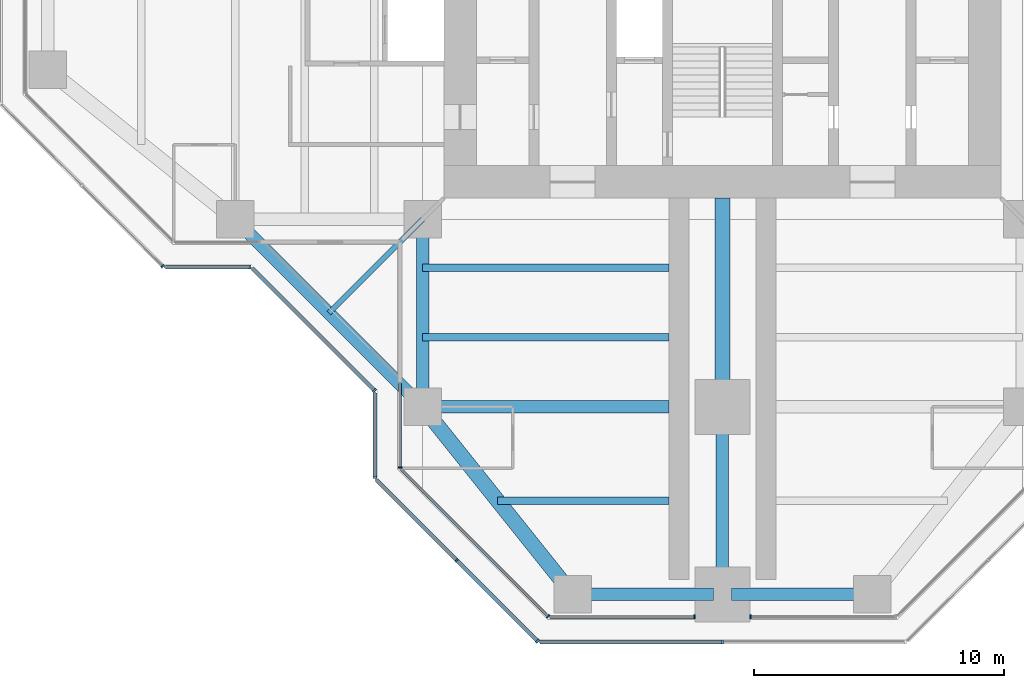
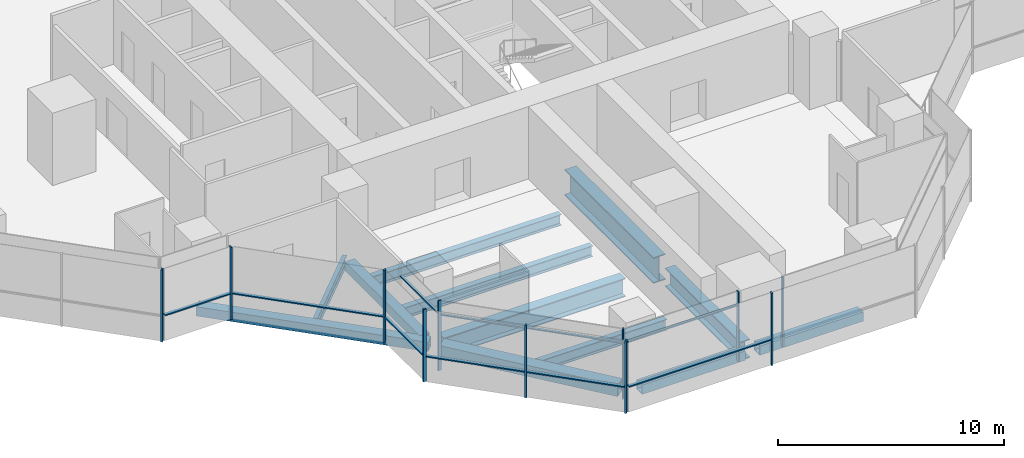
# One storey, part 2 of 17: 20 members, 12 beams, 10 elements without a shape of their own.
"""IFC4 building model written with IfcOpenShell, lengths in metres."""

from ifc_helpers import new_model, si_unit, direction, frame, origin, origin_2d, place, context, subcontext, project, spatial, rectangle, hollow_rectangle, i_section, extrude, material, material_profile, profile_set, type_object, element, aggregate, save


model = new_model("IFC4")

# Units and contexts
model_context = context("Model", 3, precision=1e-05, world=origin(), true_north=direction((0.0, 1.0)))
body_context = subcontext(model_context, "Body", "Model", "MODEL_VIEW")
ifc_project = project(units=[si_unit("LENGTHUNIT", "METRE"), si_unit("AREAUNIT", "SQUARE_METRE"), si_unit("VOLUMEUNIT", "CUBIC_METRE"), si_unit("PLANEANGLEUNIT", "RADIAN"), si_unit("MASSUNIT", "GRAM", prefix="KILO")], contexts=[model_context])

# Site, building, storey
site_placement = place(None, origin())
site = spatial("IfcSite", under=ifc_project, at=site_placement, CompositionType="ELEMENT")
building_placement = place(site_placement, origin())
building = spatial("IfcBuilding", under=site, at=building_placement, Name="Mizan Broadcast Tower", CompositionType="ELEMENT")
storey_placement = place(building_placement, frame((0.0, 0.0, 259.5)))
storey = spatial("IfcBuildingStorey", under=building, at=storey_placement, Name="L61", CompositionType="ELEMENT", Elevation=259.5)

# Beams
ifc_material_1 = material(Name="Steel S355", Category="steel")
ifc_material_profile_1 = material_profile(ifc_material_1, hollow_rectangle(XDim=0.5, YDim=0.5, WallThickness=0.030029296875, at=origin_2d()), Name="BOX 500x500x30")
ifc_profile_set_1 = profile_set([ifc_material_profile_1], Name="Steel S355")
beam_type_1 = type_object("IfcBeamType", Name="EDGE BEAM BOX 500x500x30", PredefinedType="SPANDREL", material=ifc_profile_set_1)
beam_1_placement = place(storey_placement, frame((-12.0, -12.449951171875, -0.3798828125), z_axis=(0.0, -1.0, 0.0), x_axis=(1.0, 0.0, 0.0)))
element("IfcBeam", 1, at=beam_1_placement, inside=storey, type_object=beam_type_1, Name="Edge beam BOX 500x500x30 L61 south arm", PredefinedType="SPANDREL", context=body_context, shape_type="SweptSolid", body=[
    extrude(hollow_rectangle(XDim=0.5, YDim=0.5, WallThickness=0.030029296875, at=origin_2d()), origin(), (0.0, 0.0, 1.0), 6.60009765625),
])
for number, where, z_axis, x_axis, name in (
    (2, (-5.639892578125, -27.0, -0.3798828125), (1.0, 0.0, 0.0), (0.0, 1.0, 0.0), "Edge beam BOX 500x500x30 L61 south arm"),
    (3, (5.639892578125, -27.0, -0.3798828125), (-1.0, 0.0, 0.0), (0.0, -1.0, 0.0), "Edge beam BOX 500x500x30 L61 south arm"),
):
    element("IfcBeam", number, at=place(storey_placement, frame(where, z_axis=z_axis, x_axis=x_axis)), inside=storey, type_object=beam_type_1, Name=name, PredefinedType="SPANDREL", context=body_context, shape_type="SweptSolid", body=[
        extrude(hollow_rectangle(XDim=0.5, YDim=0.5, WallThickness=0.030029296875, at=origin_2d()), origin(), (0.0, 0.0, 1.0), 5.27978515625),
    ])
beam_2_placement = place(storey_placement, frame((-19.5, -12.0, -0.3798828125), z_axis=(0.707106781187, -0.707106781187, 0.0), x_axis=(0.707106781187, 0.707106781187, 0.0)))
element("IfcBeam", 4, at=beam_2_placement, inside=storey, type_object=beam_type_1, Name="Winter garden edge beam L61 W", PredefinedType="SPANDREL", context=body_context, shape_type="SweptSolid", body=[
    extrude(hollow_rectangle(XDim=0.5, YDim=0.5, WallThickness=0.030029296875, at=origin_2d()), origin(), (0.0, 0.0, 1.0), 10.606689453125),
])
ifc_material_2 = material(Name="Steel S355", Category="steel")
ifc_material_profile_2 = material_profile(ifc_material_2, hollow_rectangle(XDim=0.60009765625, YDim=0.60009765625, WallThickness=0.030029296875, at=origin_2d()), Name="BOX 600x600x30")
ifc_profile_set_2 = profile_set([ifc_material_profile_2], Name="Steel S355")
beam_type_2 = type_object("IfcBeamType", Name="EDGE BEAM BOX 600x600x30", PredefinedType="SPANDREL", material=ifc_profile_set_2)
beam_3_placement = place(storey_placement, frame((-11.639892578125, -19.949951171875, -0.429931640625), z_axis=(0.624673911726, -0.780885717636, 0.0), x_axis=(0.780885717636, 0.624673911726, 0.0)))
element("IfcBeam", 5, at=beam_3_placement, inside=storey, type_object=beam_type_2, Name="Edge beam BOX 600x600x30 L61 south arm", PredefinedType="SPANDREL", context=body_context, shape_type="SweptSolid", body=[
    extrude(hollow_rectangle(XDim=0.60009765625, YDim=0.60009765625, WallThickness=0.030029296875, at=origin_2d()), origin(), (0.0, 0.0, 1.0), 8.4521484375),
])
ifc_material_3 = material(Name="Steel S460", Category="steel")
ifc_material_profile_3 = material_profile(ifc_material_3, i_section(OverallWidth=0.5, OverallDepth=1.0, WebThickness=0.02490234375, FlangeThickness=0.050048828125, at=origin_2d()), Name="WPG 1000x500")
ifc_profile_set_3 = profile_set([ifc_material_profile_3], Name="Steel S460")
beam_type_3 = type_object("IfcBeamType", Name="GIRDER WPG 1000x500", PredefinedType="BEAM", material=ifc_profile_set_3)
beam_4_placement = place(storey_placement, frame((0.0, -19.949951171875, -0.6298828125), z_axis=(0.0, -1.0, 0.0), x_axis=(1.0, 0.0, 0.0)))
element("IfcBeam", 6, at=beam_4_placement, inside=storey, type_object=beam_type_3, Name="Girder WPG 1000x500 L61 south arm", PredefinedType="BEAM", context=body_context, shape_type="SweptSolid", body=[
    extrude(i_section(OverallWidth=0.5, OverallDepth=1.0, WebThickness=0.02490234375, FlangeThickness=0.050048828125, at=origin_2d()), origin(), (0.0, 0.0, 1.0), 6.60009765625),
])
beam_5_placement = place(storey_placement, frame((-11.408935546875, -19.5, -0.6298828125), z_axis=(1.0, 0.0, 0.0), x_axis=(0.0, 1.0, 0.0)))
element("IfcBeam", 7, at=beam_5_placement, inside=storey, type_object=beam_type_3, Name="Girder WPG 1000x500 L61 south arm", PredefinedType="BEAM", context=body_context, shape_type="SweptSolid", body=[
    extrude(i_section(OverallWidth=0.5, OverallDepth=1.0, WebThickness=0.02490234375, FlangeThickness=0.050048828125, at=origin_2d()), origin(), (0.0, 0.0, 1.0), 9.259033203125),
])
ifc_material_4 = material(Name="Steel S460", Category="steel")
ifc_material_profile_4 = material_profile(ifc_material_4, i_section(OverallWidth=0.60009765625, OverallDepth=1.39990234375, WebThickness=0.02490234375, FlangeThickness=0.06005859375, at=origin_2d()), Name="WPG 1400x600")
ifc_profile_set_4 = profile_set([ifc_material_profile_4], Name="Steel S460")
beam_type_4 = type_object("IfcBeamType", Name="GIRDER WPG 1400x600", PredefinedType="BEAM", material=ifc_profile_set_4)
beam_6_placement = place(storey_placement, frame((0.0, -11.14990234375, -0.830078125), z_axis=(0.0, -1.0, 0.0), x_axis=(1.0, 0.0, 0.0)))
element("IfcBeam", 8, at=beam_6_placement, inside=storey, type_object=beam_type_4, Name="Girder WPG 1400x600 L61 south arm", PredefinedType="BEAM", context=body_context, shape_type="SweptSolid", body=[
    extrude(i_section(OverallWidth=0.60009765625, OverallDepth=1.39990234375, WebThickness=0.02490234375, FlangeThickness=0.06005859375, at=origin_2d()), origin(), (0.0, 0.0, 1.0), 7.84912109375),
])

# Curtain wall, member
ifc_material_5 = material(Name="Aluminium framed glazing", Category="aluminium")
curtain_wall_type_1 = type_object("IfcCurtainWallType", Name="INNER SKIN HIGH ZONE", PredefinedType="USERDEFINED", material=ifc_material_5)
curtain_wall_1_placement = place(storey_placement, origin())
curtain_wall_1 = element("IfcCurtainWall", 9, at=curtain_wall_1_placement, inside=storey, type_object=curtain_wall_type_1, Name="Inner skin high zone L61 S side", ObjectType="INNER SKIN HIGH ZONE", PredefinedType="USERDEFINED")
ifc_material_6 = material(Name="Aluminium, pale anodised", Category="aluminium")
ifc_material_profile_5 = material_profile(ifc_material_6, rectangle(XDim=0.159912109375, YDim=0.06005859375, at=origin_2d()), Name="MULLION 160x60")
ifc_profile_set_5 = profile_set([ifc_material_profile_5], Name="Aluminium, pale anodised")
member_type_1 = type_object("IfcMemberType", Name="INNER SKIN MULLION 60x160", PredefinedType="MULLION", material=ifc_profile_set_5)
member_1_placement = place(storey_placement, frame((-12.89990234375, -21.928466796875, 0.0), z_axis=(0.0, 0.0, 1.0), x_axis=(1.0, 0.0, 0.0)))
member_1 = element("IfcMember", 10, at=member_1_placement, type_object=member_type_1, Name="Inner skin high zone L61 S side mullion 2", PredefinedType="MULLION", context=body_context, shape_type="SweptSolid", body=[
    extrude(rectangle(XDim=0.159912109375, YDim=0.06005859375, at=origin_2d()), origin(), (0.0, 0.0, 1.0), 3.77001953125),
])

curtain_wall_2_placement = place(storey_placement, origin())
curtain_wall_2 = element("IfcCurtainWall", 11, at=curtain_wall_2_placement, inside=storey, type_object=curtain_wall_type_1, Name="Inner skin high zone L61 S chamfer", ObjectType="INNER SKIN HIGH ZONE", PredefinedType="USERDEFINED")
member_2_placement = place(storey_placement, frame((-6.979736328125, -27.87890625, 0.0), z_axis=(0.0, 0.0, 1.0), x_axis=(0.707106781187, 0.707106781187, 0.0)))
member_2 = element("IfcMember", 12, at=member_2_placement, type_object=member_type_1, Name="Inner skin high zone L61 S chamfer mullion 2", PredefinedType="MULLION", context=body_context, shape_type="SweptSolid", body=[
    extrude(rectangle(XDim=0.159912109375, YDim=0.06005859375, at=origin_2d()), origin(), (0.0, 0.0, 1.0), 3.77001953125),
])

curtain_wall_3_placement = place(storey_placement, origin())
curtain_wall_3 = element("IfcCurtainWall", 13, at=curtain_wall_3_placement, inside=storey, type_object=curtain_wall_type_1, Name="Inner skin high zone L61 S end", ObjectType="INNER SKIN HIGH ZONE", PredefinedType="USERDEFINED")
member_3_placement = place(storey_placement, frame((-1.1298828125, -27.89990234375, 0.0), z_axis=(0.0, 0.0, 1.0), x_axis=(0.0, 1.0, 0.0)))
member_3 = element("IfcMember", 14, at=member_3_placement, type_object=member_type_1, Name="Inner skin high zone L61 S end mullion 2", PredefinedType="MULLION", context=body_context, shape_type="SweptSolid", body=[
    extrude(rectangle(XDim=0.159912109375, YDim=0.06005859375, at=origin_2d()), origin(), (0.0, 0.0, 1.0), 3.77001953125),
])

curtain_wall_4_placement = place(storey_placement, origin())
curtain_wall_4 = element("IfcCurtainWall", 15, at=curtain_wall_4_placement, inside=storey, type_object=curtain_wall_type_1, Name="Inner skin high zone L61 S end", ObjectType="INNER SKIN HIGH ZONE", PredefinedType="USERDEFINED")
member_4_placement = place(storey_placement, frame((1.1298828125, -27.89990234375, 0.0), z_axis=(0.0, 0.0, 1.0), x_axis=(0.0, 1.0, 0.0)))
member_4 = element("IfcMember", 16, at=member_4_placement, type_object=member_type_1, Name="Inner skin high zone L61 S end mullion 1", PredefinedType="MULLION", context=body_context, shape_type="SweptSolid", body=[
    extrude(rectangle(XDim=0.159912109375, YDim=0.06005859375, at=origin_2d()), origin(), (0.0, 0.0, 1.0), 3.77001953125),
])
aggregate(curtain_wall_4, [member_4])

# Member
ifc_material_7 = material(Name="Aluminium, pale anodised", Category="aluminium")
ifc_material_profile_6 = material_profile(ifc_material_7, rectangle(XDim=0.1201171875, YDim=0.06005859375, at=origin_2d()), Name="TRANSOM 120x60")
ifc_profile_set_6 = profile_set([ifc_material_profile_6], Name="Aluminium, pale anodised")
member_type_2 = type_object("IfcMemberType", Name="INNER SKIN TRANSOM 60x120", PredefinedType="USERDEFINED", material=ifc_profile_set_6)
member_5_placement = place(storey_placement, frame((-12.89990234375, -18.56005859375, 3.030029296875), z_axis=(0.0, -1.0, 0.0), x_axis=(1.0, 0.0, 0.0)))
member_5 = element("IfcMember", 17, at=member_5_placement, type_object=member_type_2, Name="Inner skin high zone L61 S side transom 1.1", ObjectType="TRANSOM", PredefinedType="USERDEFINED", context=body_context, shape_type="SweptSolid", body=[
    extrude(rectangle(XDim=0.1201171875, YDim=0.06005859375, at=origin_2d()), origin(), (0.0, 0.0, 1.0), 3.338623046875),
])

aggregate(curtain_wall_1, [member_1, member_5])

member_6_placement = place(storey_placement, frame((-12.857666015625, -22.0009765625, 3.030029296875), z_axis=(0.707106781187, -0.707106781187, 0.0), x_axis=(0.707106781187, 0.707106781187, 0.0)))
member_6 = element("IfcMember", 18, at=member_6_placement, type_object=member_type_2, Name="Inner skin high zone L61 S chamfer transom 1.1", ObjectType="TRANSOM", PredefinedType="USERDEFINED", context=body_context, shape_type="SweptSolid", body=[
    extrude(rectangle(XDim=0.1201171875, YDim=0.06005859375, at=origin_2d()), origin(), (0.0, 0.0, 1.0), 8.28271484375),
])

aggregate(curtain_wall_2, [member_2, member_6])

member_7_placement = place(storey_placement, frame((-6.898681640625, -27.89990234375, 3.030029296875), z_axis=(1.0, 0.0, 0.0), x_axis=(0.0, 1.0, 0.0)))
member_7 = element("IfcMember", 19, at=member_7_placement, type_object=member_type_2, Name="Inner skin high zone L61 S end transom 1.1", ObjectType="TRANSOM", PredefinedType="USERDEFINED", context=body_context, shape_type="SweptSolid", body=[
    extrude(rectangle(XDim=0.1201171875, YDim=0.06005859375, at=origin_2d()), origin(), (0.0, 0.0, 1.0), 5.73876953125),
])

aggregate(curtain_wall_3, [member_3, member_7])

# Curtain wall, member
ifc_material_8 = material(Name="Aluminium framed glazing", Category="aluminium")
curtain_wall_type_2 = type_object("IfcCurtainWallType", Name="OUTER SKIN", PredefinedType="USERDEFINED", material=ifc_material_8)
curtain_wall_5_placement = place(storey_placement, origin())
curtain_wall_5 = element("IfcCurtainWall", 20, at=curtain_wall_5_placement, inside=storey, type_object=curtain_wall_type_2, Name="Outer skin L61 W chamfer", ObjectType="OUTER SKIN", PredefinedType="USERDEFINED")
ifc_material_9 = material(Name="Aluminium, pale anodised", Category="aluminium")
ifc_material_profile_7 = material_profile(ifc_material_9, rectangle(XDim=0.159912109375, YDim=0.080078125, at=origin_2d()), Name="MULLION 160x80")
ifc_profile_set_7 = profile_set([ifc_material_profile_7], Name="Aluminium, pale anodised")
member_type_3 = type_object("IfcMemberType", Name="OUTER SKIN MULLION 80x160", PredefinedType="MULLION", material=ifc_profile_set_7)
member_8_placement = place(storey_placement, frame((-22.401123046875, -13.871826171875, 0.0), z_axis=(0.0, 0.0, 1.0), x_axis=(0.707106781187, 0.707106781187, 0.0)))
member_8 = element("IfcMember", 21, at=member_8_placement, type_object=member_type_3, Name="Outer skin L61 W chamfer mullion 3", PredefinedType="MULLION", context=body_context, shape_type="SweptSolid", body=[
    extrude(rectangle(XDim=0.159912109375, YDim=0.080078125, at=origin_2d()), origin(), (0.0, 0.0, 1.0), 3.89990234375),
])
aggregate(curtain_wall_5, [member_8])

curtain_wall_6_placement = place(storey_placement, origin())
curtain_wall_6 = element("IfcCurtainWall", 22, at=curtain_wall_6_placement, inside=storey, type_object=curtain_wall_type_2, Name="Outer skin L61 W side", ObjectType="OUTER SKIN", PredefinedType="USERDEFINED")
member_9_placement = place(storey_placement, frame((-18.912841796875, -13.89990234375, 0.0), z_axis=(0.0, 0.0, 1.0), x_axis=(0.0, 1.0, 0.0)))
member_9 = element("IfcMember", 23, at=member_9_placement, type_object=member_type_3, Name="Outer skin L61 W side mullion 2", PredefinedType="MULLION", context=body_context, shape_type="SweptSolid", body=[
    extrude(rectangle(XDim=0.159912109375, YDim=0.080078125, at=origin_2d()), origin(), (0.0, 0.0, 1.0), 3.89990234375),
])

curtain_wall_7_placement = place(storey_placement, origin())
curtain_wall_7 = element("IfcCurtainWall", 24, at=curtain_wall_7_placement, inside=storey, type_object=curtain_wall_type_2, Name="Outer skin L61 W chamfer", ObjectType="OUTER SKIN", PredefinedType="USERDEFINED")
member_10_placement = place(storey_placement, frame((-13.92822265625, -18.844482421875, 0.0), z_axis=(0.0, 0.0, 1.0), x_axis=(0.707106781187, 0.707106781187, 0.0)))
member_10 = element("IfcMember", 25, at=member_10_placement, type_object=member_type_3, Name="Outer skin L61 W chamfer mullion 2", PredefinedType="MULLION", context=body_context, shape_type="SweptSolid", body=[
    extrude(rectangle(XDim=0.159912109375, YDim=0.080078125, at=origin_2d()), origin(), (0.0, 0.0, 1.0), 3.89990234375),
])

curtain_wall_8_placement = place(storey_placement, origin())
curtain_wall_8 = element("IfcCurtainWall", 26, at=curtain_wall_8_placement, inside=storey, type_object=curtain_wall_type_2, Name="Outer skin L61 S side", ObjectType="OUTER SKIN", PredefinedType="USERDEFINED")
member_11_placement = place(storey_placement, frame((-13.89990234375, -22.332763671875, 0.0), z_axis=(0.0, 0.0, 1.0), x_axis=(1.0, 0.0, 0.0)))
member_11 = element("IfcMember", 27, at=member_11_placement, type_object=member_type_3, Name="Outer skin L61 S side mullion 2", PredefinedType="MULLION", context=body_context, shape_type="SweptSolid", body=[
    extrude(rectangle(XDim=0.159912109375, YDim=0.080078125, at=origin_2d()), origin(), (0.0, 0.0, 1.0), 3.89990234375),
])

# Curtain wall, members
curtain_wall_9_placement = place(storey_placement, origin())
curtain_wall_9 = element("IfcCurtainWall", 28, at=curtain_wall_9_placement, inside=storey, type_object=curtain_wall_type_2, Name="Outer skin L61 S chamfer", ObjectType="OUTER SKIN", PredefinedType="USERDEFINED")
member_12_placement = place(storey_placement, frame((-10.636474609375, -25.636474609375, 0.0), z_axis=(0.0, 0.0, 1.0), x_axis=(0.707106781187, 0.707106781187, 0.0)))
member_12 = element("IfcMember", 29, at=member_12_placement, type_object=member_type_3, Name="Outer skin L61 S chamfer mullion 2", PredefinedType="MULLION", context=body_context, shape_type="SweptSolid", body=[
    extrude(rectangle(XDim=0.159912109375, YDim=0.080078125, at=origin_2d()), origin(), (0.0, 0.0, 1.0), 3.89990234375),
])
member_13_placement = place(storey_placement, frame((-7.401123046875, -28.871826171875, 0.0), z_axis=(0.0, 0.0, 1.0), x_axis=(0.707106781187, 0.707106781187, 0.0)))
member_13 = element("IfcMember", 30, at=member_13_placement, type_object=member_type_3, Name="Outer skin L61 S chamfer mullion 3", PredefinedType="MULLION", context=body_context, shape_type="SweptSolid", body=[
    extrude(rectangle(XDim=0.159912109375, YDim=0.080078125, at=origin_2d()), origin(), (0.0, 0.0, 1.0), 3.89990234375),
])

# Curtain wall, member
curtain_wall_10_placement = place(storey_placement, origin())
curtain_wall_10 = element("IfcCurtainWall", 31, at=curtain_wall_10_placement, inside=storey, type_object=curtain_wall_type_2, Name="Outer skin L61 S end", ObjectType="OUTER SKIN", PredefinedType="USERDEFINED")
member_14_placement = place(storey_placement, frame((0.0, -28.89990234375, 0.0), z_axis=(0.0, 0.0, 1.0), x_axis=(0.0, 1.0, 0.0)))
member_14 = element("IfcMember", 32, at=member_14_placement, type_object=member_type_3, Name="Outer skin L61 S end mullion 2", PredefinedType="MULLION", context=body_context, shape_type="SweptSolid", body=[
    extrude(rectangle(XDim=0.159912109375, YDim=0.080078125, at=origin_2d()), origin(), (0.0, 0.0, 1.0), 3.89990234375),
])

# Member
ifc_material_10 = material(Name="Aluminium, pale anodised", Category="aluminium")
ifc_material_profile_8 = material_profile(ifc_material_10, rectangle(XDim=0.159912109375, YDim=0.06005859375, at=origin_2d()), Name="TRANSOM 160x60")
ifc_profile_set_8 = profile_set([ifc_material_profile_8], Name="Aluminium, pale anodised")
member_type_4 = type_object("IfcMemberType", Name="OUTER SKIN TRANSOM 60x160", PredefinedType="USERDEFINED", material=ifc_profile_set_8)
member_15_placement = place(storey_placement, frame((-22.292724609375, -13.89990234375, 1.39990234375), z_axis=(1.0, 0.0, 0.0), x_axis=(0.0, 1.0, 0.0)))
member_15 = element("IfcMember", 33, at=member_15_placement, type_object=member_type_4, Name="Outer skin L61 W side transom 1.1", ObjectType="TRANSOM", PredefinedType="USERDEFINED", context=body_context, shape_type="SweptSolid", body=[
    extrude(rectangle(XDim=0.159912109375, YDim=0.06005859375, at=origin_2d()), origin(), (0.0, 0.0, 1.0), 3.33984375),
])

aggregate(curtain_wall_6, [member_9, member_15])

member_16_placement = place(storey_placement, frame((-18.816162109375, -13.95654296875, 1.39990234375), z_axis=(0.707106781187, -0.707106781187, 0.0), x_axis=(0.707106781187, 0.707106781187, 0.0)))
member_16 = element("IfcMember", 34, at=member_16_placement, type_object=member_type_4, Name="Outer skin L61 W chamfer transom 1.1", ObjectType="TRANSOM", PredefinedType="USERDEFINED", context=body_context, shape_type="SweptSolid", body=[
    extrude(rectangle(XDim=0.159912109375, YDim=0.06005859375, at=origin_2d()), origin(), (0.0, 0.0, 1.0), 6.87255859375),
])

aggregate(curtain_wall_7, [member_10, member_16])

member_17_placement = place(storey_placement, frame((-13.89990234375, -18.952880859375, 1.39990234375), z_axis=(0.0, -1.0, 0.0), x_axis=(1.0, 0.0, 0.0)))
member_17 = element("IfcMember", 35, at=member_17_placement, type_object=member_type_4, Name="Outer skin L61 S side transom 1.1", ObjectType="TRANSOM", PredefinedType="USERDEFINED", context=body_context, shape_type="SweptSolid", body=[
    extrude(rectangle(XDim=0.159912109375, YDim=0.06005859375, at=origin_2d()), origin(), (0.0, 0.0, 1.0), 3.33984375),
])

aggregate(curtain_wall_8, [member_11, member_17])

member_18_placement = place(storey_placement, frame((-13.843505859375, -22.429443359375, 1.39990234375), z_axis=(0.707106781187, -0.707106781187, 0.0), x_axis=(0.707106781187, 0.707106781187, 0.0)))
member_18 = element("IfcMember", 36, at=member_18_placement, type_object=member_type_4, Name="Outer skin L61 S chamfer transom 1.1", ObjectType="TRANSOM", PredefinedType="USERDEFINED", context=body_context, shape_type="SweptSolid", body=[
    extrude(rectangle(XDim=0.159912109375, YDim=0.06005859375, at=origin_2d()), origin(), (0.0, 0.0, 1.0), 4.495361328125),
])

member_19_placement = place(storey_placement, frame((-10.608154296875, -25.664794921875, 1.39990234375), z_axis=(0.707106781187, -0.707106781187, 0.0), x_axis=(0.707106781187, 0.707106781187, 0.0)))
member_19 = element("IfcMember", 37, at=member_19_placement, type_object=member_type_4, Name="Outer skin L61 S chamfer transom 2.1", ObjectType="TRANSOM", PredefinedType="USERDEFINED", context=body_context, shape_type="SweptSolid", body=[
    extrude(rectangle(XDim=0.159912109375, YDim=0.06005859375, at=origin_2d()), origin(), (0.0, 0.0, 1.0), 4.495361328125),
])

aggregate(curtain_wall_9, [member_12, member_13, member_18, member_19])

member_20_placement = place(storey_placement, frame((-7.292724609375, -28.89990234375, 1.39990234375), z_axis=(1.0, 0.0, 0.0), x_axis=(0.0, 1.0, 0.0)))
member_20 = element("IfcMember", 38, at=member_20_placement, type_object=member_type_4, Name="Outer skin L61 S end transom 1.1", ObjectType="TRANSOM", PredefinedType="USERDEFINED", context=body_context, shape_type="SweptSolid", body=[
    extrude(rectangle(XDim=0.159912109375, YDim=0.06005859375, at=origin_2d()), origin(), (0.0, 0.0, 1.0), 7.252685546875),
])

aggregate(curtain_wall_10, [member_14, member_20])

# Beams
ifc_material_11 = material(Name="Steel S355", Category="steel")
ifc_material_profile_9 = material_profile(ifc_material_11, i_section(OverallWidth=0.300048828125, OverallDepth=0.590087890625, WebThickness=0.012939453125, FlangeThickness=0.02490234375, FilletRadius=0.027099609375, at=origin_2d()), Name="HEA 600")
ifc_profile_set_9 = profile_set([ifc_material_profile_9], Name="Steel S355")
beam_type_5 = type_object("IfcBeamType", Name="SECONDARY BEAM HEA 600", PredefinedType="JOIST", material=ifc_profile_set_9)
for number, where, z_axis, x_axis, name in (
    (39, (-12.0, -13.933349609375, -0.425048828125), (1.0, 0.0, 0.0), (0.0, 1.0, 0.0), "Secondary beam HEA 600 L61 south arm"),
    (40, (-12.0, -16.716552734375, -0.425048828125), (1.0, 0.0, 0.0), (0.0, 1.0, 0.0), "Secondary beam HEA 600 L61 south arm"),
):
    element("IfcBeam", number, at=place(storey_placement, frame(where, z_axis=z_axis, x_axis=x_axis)), inside=storey, type_object=beam_type_5, Name=name, PredefinedType="JOIST", context=body_context, shape_type="SweptSolid", body=[
        extrude(i_section(OverallWidth=0.300048828125, OverallDepth=0.590087890625, WebThickness=0.012939453125, FlangeThickness=0.02490234375, FilletRadius=0.027099609375, at=origin_2d()), origin(), (0.0, 0.0, 1.0), 9.85009765625),
    ])
beam_7_placement = place(storey_placement, frame((-9.0, -23.25, -0.425048828125), z_axis=(1.0, 0.0, 0.0), x_axis=(0.0, 1.0, 0.0)))
element("IfcBeam", 41, at=beam_7_placement, inside=storey, type_object=beam_type_5, Name="Secondary beam HEA 600 L61 south arm", PredefinedType="JOIST", context=body_context, shape_type="SweptSolid", body=[
    extrude(i_section(OverallWidth=0.300048828125, OverallDepth=0.590087890625, WebThickness=0.012939453125, FlangeThickness=0.02490234375, FilletRadius=0.027099609375, at=origin_2d()), origin(), (0.0, 0.0, 1.0), 6.85009765625),
])
ifc_material_12 = material(Name="Steel S355", Category="steel")
ifc_material_profile_10 = material_profile(ifc_material_12, i_section(OverallWidth=0.2099609375, OverallDepth=0.550048828125, WebThickness=0.010986328125, FlangeThickness=0.01708984375, FilletRadius=0.02392578125, at=origin_2d()), Name="IPE 550")
ifc_profile_set_10 = profile_set([ifc_material_profile_10], Name="Steel S355")
beam_type_6 = type_object("IfcBeamType", Name="SECONDARY BEAM IPE 550", PredefinedType="JOIST", material=ifc_profile_set_10)
beam_8_placement = place(storey_placement, frame((-12.0, -12.0, -0.405029296875), z_axis=(-0.707106781187, -0.707106781187, 0.0), x_axis=(0.707106781187, -0.707106781187, 0.0)))
element("IfcBeam", 42, at=beam_8_placement, inside=storey, type_object=beam_type_6, Name="Winter garden beam L61 W", PredefinedType="JOIST", context=body_context, shape_type="SweptSolid", body=[
    extrude(i_section(OverallWidth=0.2099609375, OverallDepth=0.550048828125, WebThickness=0.010986328125, FlangeThickness=0.01708984375, FilletRadius=0.02392578125, at=origin_2d()), origin(), (0.0, 0.0, 1.0), 5.30322265625),
])

save(model, "model.ifc")
